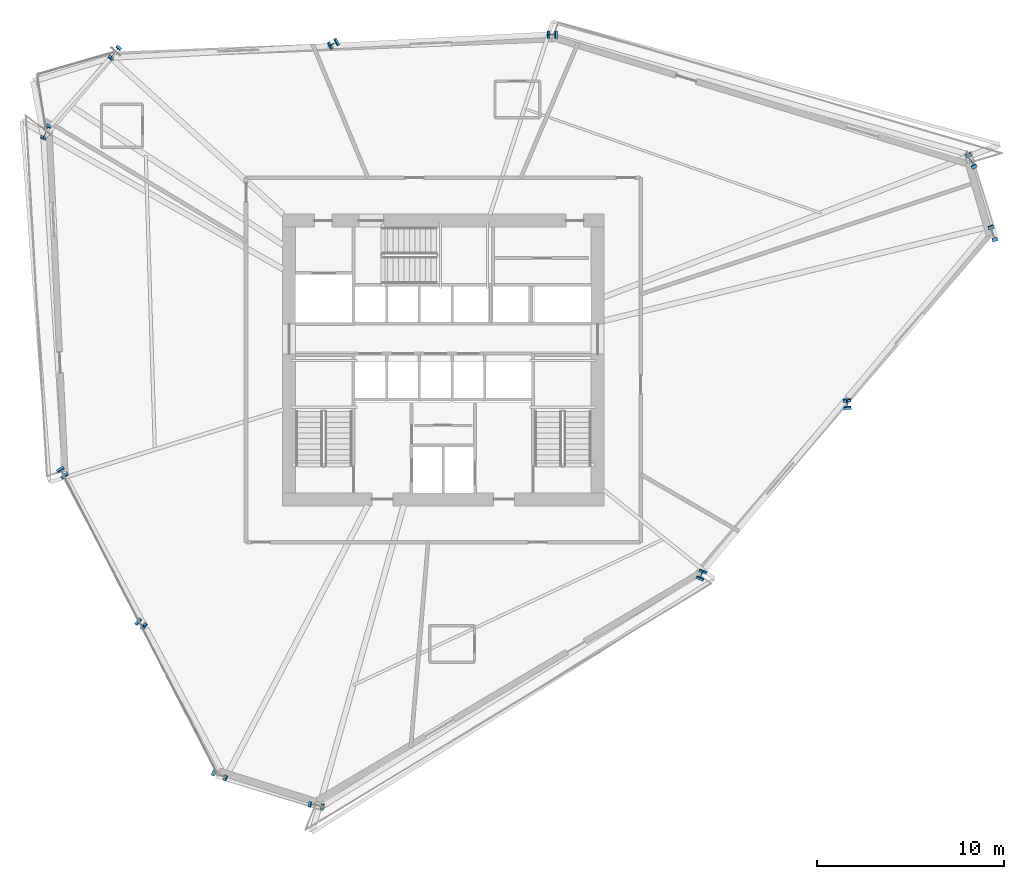
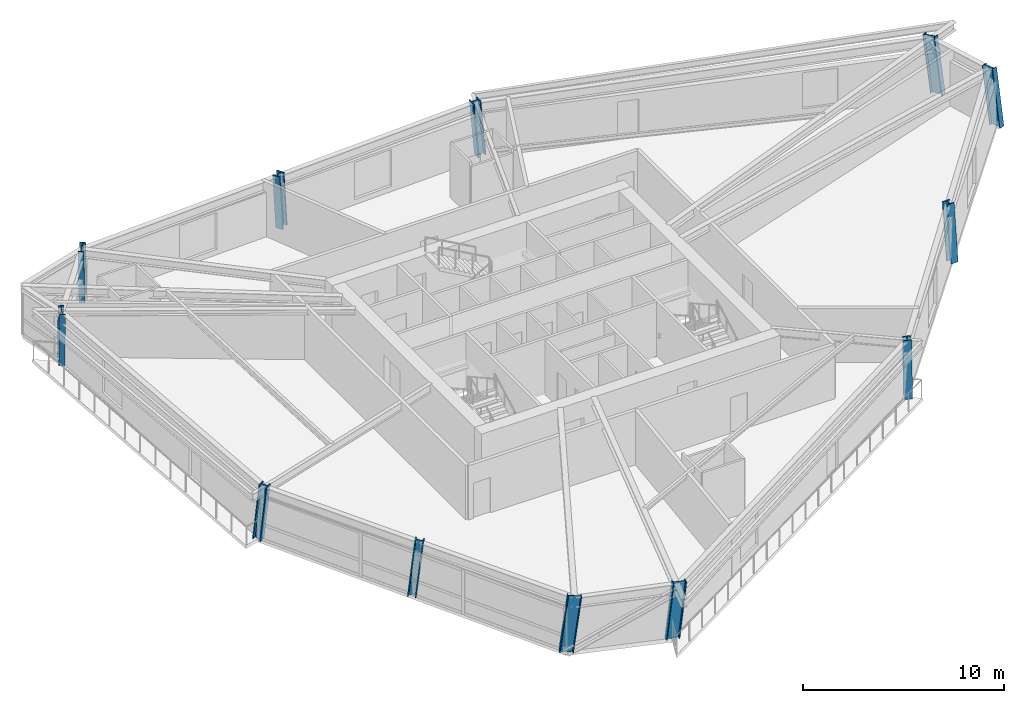
# One storey, part 1 of 19: 12 columns.
"""IFC4 building model written with IfcOpenShell, lengths in metres."""

from ifc_helpers import new_model, si_unit, direction, frame, origin, origin_2d, place, context, subcontext, project, spatial, i_section, extrude, source, transform, mapped, material, material_profile, profile_set, type_object, element, save


model = new_model("IFC4")

# Units and contexts
model_context = context("Model", 3, precision=1e-05, world=origin(), true_north=direction((0.0, 1.0)))
body_context = subcontext(model_context, "Body", "Model", "MODEL_VIEW")
ifc_project = project(units=[si_unit("LENGTHUNIT", "METRE"), si_unit("AREAUNIT", "SQUARE_METRE"), si_unit("VOLUMEUNIT", "CUBIC_METRE"), si_unit("PLANEANGLEUNIT", "RADIAN"), si_unit("MASSUNIT", "GRAM", prefix="KILO")], contexts=[model_context])

# Site, building, storey
site_placement = place(None, origin())
site = spatial("IfcSite", under=ifc_project, at=site_placement, CompositionType="ELEMENT")
building_placement = place(site_placement, origin())
building = spatial("IfcBuilding", under=site, at=building_placement, Name="Olszyna Solenne Hotel", CompositionType="ELEMENT")
storey_placement = place(building_placement, frame((0.0, 0.0, 102.14990234375)))
storey = spatial("IfcBuildingStorey", under=building, at=storey_placement, Name="L26", CompositionType="ELEMENT", Elevation=102.14990234375)

# Columns
ifc_material = material(Name="Steel S460M", Category="steel")
ifc_material_profile_1 = material_profile(ifc_material, i_section(OverallWidth=0.41796875, OverallDepth=0.455078125, WebThickness=0.03759765625, FlangeThickness=0.05908203125, at=origin_2d()), Name="HD 400x551", Category="load-bearing")
ifc_profile_set_1 = profile_set([ifc_material_profile_1], Name="Steel S460M")
column_type_1 = type_object("IfcColumnType", Name="COL-T2", PredefinedType="COLUMN", material=ifc_profile_set_1)
shared_shape_1 = source(origin(), body_context, "Body", "SweptSolid", [
    extrude(i_section(OverallWidth=0.41796875, OverallDepth=0.455078125, WebThickness=0.03759765625, FlangeThickness=0.05908203125, at=origin_2d()), origin(), (0.0, 0.0, 1.0), 3.4052734375),
])
column_1_placement = place(storey_placement, frame((59.592529296875, 24.171142578125, 0.0), z_axis=(-0.005735421853, 0.10904470798, 0.994020299892), x_axis=(-0.998619642425, -0.05252437304, 0.0)))
element("IfcColumn", 1, at=column_1_placement, inside=storey, type_object=column_type_1, Name="Perimeter framed-tube column COL-T2 C-L26-12", PredefinedType="COLUMN", context=body_context, shape_type="MappedRepresentation", body=[
    mapped(shared_shape_1, transform((0.0, 0.0, 0.0), x_axis=(1.0, 0.0, 0.0), y_axis=(0.0, 1.0, 0.0), z_axis=(0.0, 0.0, 1.0), scale=1.0)),
])
shared_shape_2 = source(origin(), body_context, "Body", "SweptSolid", [
    extrude(i_section(OverallWidth=0.41796875, OverallDepth=0.455078125, WebThickness=0.03759765625, FlangeThickness=0.05908203125, at=origin_2d()), origin(), (0.0, 0.0, 1.0), 3.397705078125),
])
column_2_placement = place(storey_placement, frame((43.8662109375, 43.990966796875, 0.0), z_axis=(-0.08615507832, 0.001652682904, 0.996280367727), x_axis=(-0.019179123824, -0.999816063688, 0.0)))
element("IfcColumn", 2, at=column_2_placement, inside=storey, type_object=column_type_1, Name="Perimeter framed-tube column COL-T2 C-L26-03", PredefinedType="COLUMN", context=body_context, shape_type="MappedRepresentation", body=[
    mapped(shared_shape_2, transform((0.0, 0.0, 0.0), x_axis=(1.0, 0.0, 0.0), y_axis=(0.0, 1.0, 0.0), z_axis=(0.0, 0.0, 1.0), scale=1.0)),
])
ifc_material_profile_2 = material_profile(ifc_material, i_section(OverallWidth=0.303955078125, OverallDepth=0.716064453125, WebThickness=0.02099609375, FlangeThickness=0.0400390625, at=origin_2d()), Name="HEM 700", Category="load-bearing")
ifc_profile_set_2 = profile_set([ifc_material_profile_2], Name="Steel S460M")
column_type_2 = type_object("IfcColumnType", Name="COL-K2", PredefinedType="COLUMN", material=ifc_profile_set_2)
shared_shape_3 = source(origin(), body_context, "Body", "SweptSolid", [
    extrude(i_section(OverallWidth=0.303955078125, OverallDepth=0.716064453125, WebThickness=0.02099609375, FlangeThickness=0.0400390625, at=origin_2d()), origin(), (0.0, 0.0, 1.0), 3.404296875),
])
column_3_placement = place(storey_placement, frame((16.76416015625, 38.85302734375, 0.0), z_axis=(-0.042670244367, -0.097460272428, 0.994324265793), x_axis=(0.916049009684, -0.40106634346, 0.0)))
element("IfcColumn", 3, at=column_3_placement, inside=storey, type_object=column_type_2, Name="Perimeter framed-tube column COL-K2 C-L26-06", PredefinedType="COLUMN", context=body_context, shape_type="MappedRepresentation", body=[
    mapped(shared_shape_3, transform((0.0, 0.0, 0.0), x_axis=(1.0, 0.0, 0.0), y_axis=(0.0, 1.0, 0.0), z_axis=(0.0, 0.0, 1.0), scale=1.0)),
])
shared_shape_4 = source(origin(), body_context, "Body", "SweptSolid", [
    extrude(i_section(OverallWidth=0.41796875, OverallDepth=0.455078125, WebThickness=0.03759765625, FlangeThickness=0.05908203125, at=origin_2d()), origin(), (0.0, 0.0, 1.0), 3.40283203125),
])
column_4_placement = place(storey_placement, frame((17.602294921875, 20.62939453125, 0.0), z_axis=(0.054886883003, -0.086025323818, 0.99477991221), x_axis=(0.843023962801, 0.537876006291, 0.0)))
element("IfcColumn", 4, at=column_4_placement, inside=storey, type_object=column_type_1, Name="Perimeter framed-tube column COL-T2 C-L26-07", PredefinedType="COLUMN", context=body_context, shape_type="MappedRepresentation", body=[
    mapped(shared_shape_4, transform((0.0, 0.0, 0.0), x_axis=(1.0, 0.0, 0.0), y_axis=(0.0, 1.0, 0.0), z_axis=(0.0, 0.0, 1.0), scale=1.0)),
])
shared_shape_5 = source(origin(), body_context, "Body", "SweptSolid", [
    extrude(i_section(OverallWidth=0.303955078125, OverallDepth=0.716064453125, WebThickness=0.02099609375, FlangeThickness=0.0400390625, at=origin_2d()), origin(), (0.0, 0.0, 1.0), 3.4052734375),
])
column_5_placement = place(storey_placement, frame((31.126220703125, 2.78515625, 0.0), z_axis=(0.107183075815, -0.019787644766, 0.994042372021), x_axis=(0.181547479456, 0.983382180387, 0.0)))
element("IfcColumn", 5, at=column_5_placement, inside=storey, type_object=column_type_2, Name="Perimeter framed-tube column COL-K2 C-L26-10", PredefinedType="COLUMN", context=body_context, shape_type="MappedRepresentation", body=[
    mapped(shared_shape_5, transform((0.0, 0.0, 0.0), x_axis=(1.0, 0.0, 0.0), y_axis=(0.0, 1.0, 0.0), z_axis=(0.0, 0.0, 1.0), scale=1.0)),
])
shared_shape_6 = source(origin(), body_context, "Body", "SweptSolid", [
    extrude(i_section(OverallWidth=0.41796875, OverallDepth=0.455078125, WebThickness=0.03759765625, FlangeThickness=0.05908203125, at=origin_2d()), origin(), (0.0, 0.0, 1.0), 3.3984375),
])
column_6_placement = place(storey_placement, frame((51.773193359375, 15.056396484375, 0.0), z_axis=(0.034627118192, 0.081538960889, 0.996068451736), x_axis=(-0.920440355662, 0.390883040907, 0.0)))
element("IfcColumn", 6, at=column_6_placement, inside=storey, type_object=column_type_1, Name="Perimeter framed-tube column COL-T2 C-L26-11", PredefinedType="COLUMN", context=body_context, shape_type="MappedRepresentation", body=[
    mapped(shared_shape_6, transform((0.0, 0.0, 0.0), x_axis=(1.0, 0.0, 0.0), y_axis=(0.0, 1.0, 0.0), z_axis=(0.0, 0.0, 1.0), scale=1.0)),
])
shared_shape_7 = source(origin(), body_context, "Body", "SweptSolid", [
    extrude(i_section(OverallWidth=0.303955078125, OverallDepth=0.716064453125, WebThickness=0.02099609375, FlangeThickness=0.0400390625, at=origin_2d()), origin(), (0.0, 0.0, 1.0), 3.42041015625),
])
column_7_placement = place(storey_placement, frame((67.411865234375, 33.285888671875, 0.0), z_axis=(-0.045751929855, 0.136185151582, 0.989626376671), x_axis=(-0.947935431433, -0.318462584669, 0.0)))
element("IfcColumn", 7, at=column_7_placement, inside=storey, type_object=column_type_2, Name="Perimeter framed-tube column COL-K2 C-L26-01", PredefinedType="COLUMN", context=body_context, shape_type="MappedRepresentation", body=[
    mapped(shared_shape_7, transform((0.0, 0.0, 0.0), x_axis=(1.0, 0.0, 0.0), y_axis=(0.0, 1.0, 0.0), z_axis=(0.0, 0.0, 1.0), scale=1.0)),
])
shared_shape_8 = source(origin(), body_context, "Body", "SweptSolid", [
    extrude(i_section(OverallWidth=0.303955078125, OverallDepth=0.716064453125, WebThickness=0.02099609375, FlangeThickness=0.0400390625, at=origin_2d()), origin(), (0.0, 0.0, 1.0), 3.416015625),
])
column_8_placement = place(storey_placement, frame((66.269775390625, 37.1787109375, 0.0), z_axis=(-0.060390314415, 0.120280354036, 0.990901431202), x_axis=(-0.893682547282, -0.448699793496, 0.0)))
element("IfcColumn", 8, at=column_8_placement, inside=storey, type_object=column_type_2, Name="Perimeter framed-tube column COL-K2 C-L26-02", PredefinedType="COLUMN", context=body_context, shape_type="MappedRepresentation", body=[
    mapped(shared_shape_8, transform((0.0, 0.0, 0.0), x_axis=(1.0, 0.0, 0.0), y_axis=(0.0, 1.0, 0.0), z_axis=(0.0, 0.0, 1.0), scale=1.0)),
])
shared_shape_9 = source(origin(), body_context, "Body", "SweptSolid", [
    extrude(i_section(OverallWidth=0.41796875, OverallDepth=0.455078125, WebThickness=0.03759765625, FlangeThickness=0.05908203125, at=origin_2d()), origin(), (0.0, 0.0, 1.0), 3.399169921875),
])
column_9_placement = place(storey_placement, frame((32.166748046875, 43.537353515625, 0.0), z_axis=(-0.079291660334, -0.045463424811, 0.995814194318), x_axis=(0.497407768094, -0.86751686568, 0.0)))
element("IfcColumn", 9, at=column_9_placement, inside=storey, type_object=column_type_1, Name="Perimeter framed-tube column COL-T2 C-L26-04", PredefinedType="COLUMN", context=body_context, shape_type="MappedRepresentation", body=[
    mapped(shared_shape_9, transform((0.0, 0.0, 0.0), x_axis=(1.0, 0.0, 0.0), y_axis=(0.0, 1.0, 0.0), z_axis=(0.0, 0.0, 1.0), scale=1.0)),
])
shared_shape_10 = source(origin(), body_context, "Body", "SweptSolid", [
    extrude(i_section(OverallWidth=0.303955078125, OverallDepth=0.716064453125, WebThickness=0.02099609375, FlangeThickness=0.0400390625, at=origin_2d()), origin(), (0.0, 0.0, 1.0), 3.408447265625),
])
column_10_placement = place(storey_placement, frame((20.46728515625, 43.083740234375, 0.0), z_axis=(-0.072200444208, -0.092256123155, 0.993114244987), x_axis=(0.787505001008, -0.616308261658, 0.0)))
element("IfcColumn", 10, at=column_10_placement, inside=storey, type_object=column_type_2, Name="Perimeter framed-tube column COL-K2 C-L26-05", PredefinedType="COLUMN", context=body_context, shape_type="MappedRepresentation", body=[
    mapped(shared_shape_10, transform((0.0, 0.0, 0.0), x_axis=(1.0, 0.0, 0.0), y_axis=(0.0, 1.0, 0.0), z_axis=(0.0, 0.0, 1.0), scale=1.0)),
])
shared_shape_11 = source(origin(), body_context, "Body", "SweptSolid", [
    extrude(i_section(OverallWidth=0.41796875, OverallDepth=0.455078125, WebThickness=0.03759765625, FlangeThickness=0.05908203125, at=origin_2d()), origin(), (0.0, 0.0, 1.0), 3.40478515625),
])
column_11_placement = place(storey_placement, frame((21.781494140625, 12.521484375, 0.0), z_axis=(0.084538260599, -0.066970937574, 0.994167076509), x_axis=(0.620958345306, 0.783843564364, 0.0)))
element("IfcColumn", 11, at=column_11_placement, inside=storey, type_object=column_type_1, Name="Perimeter framed-tube column COL-T2 C-L26-08", PredefinedType="COLUMN", context=body_context, shape_type="MappedRepresentation", body=[
    mapped(shared_shape_11, transform((0.0, 0.0, 0.0), x_axis=(1.0, 0.0, 0.0), y_axis=(0.0, 1.0, 0.0), z_axis=(0.0, 0.0, 1.0), scale=1.0)),
])
shared_shape_12 = source(origin(), body_context, "Body", "SweptSolid", [
    extrude(i_section(OverallWidth=0.303955078125, OverallDepth=0.716064453125, WebThickness=0.02099609375, FlangeThickness=0.0400390625, at=origin_2d()), origin(), (0.0, 0.0, 1.0), 3.4111328125),
])
column_12_placement = place(storey_placement, frame((25.960693359375, 4.413818359375, 0.0), z_axis=(0.114082438913, -0.047880270786, 0.992316822795), x_axis=(0.386996441737, 0.922081207965, 0.0)))
element("IfcColumn", 12, at=column_12_placement, inside=storey, type_object=column_type_2, Name="Perimeter framed-tube column COL-K2 C-L26-09", PredefinedType="COLUMN", context=body_context, shape_type="MappedRepresentation", body=[
    mapped(shared_shape_12, transform((0.0, 0.0, 0.0), x_axis=(1.0, 0.0, 0.0), y_axis=(0.0, 1.0, 0.0), z_axis=(0.0, 0.0, 1.0), scale=1.0)),
])

save(model, "model.ifc")
